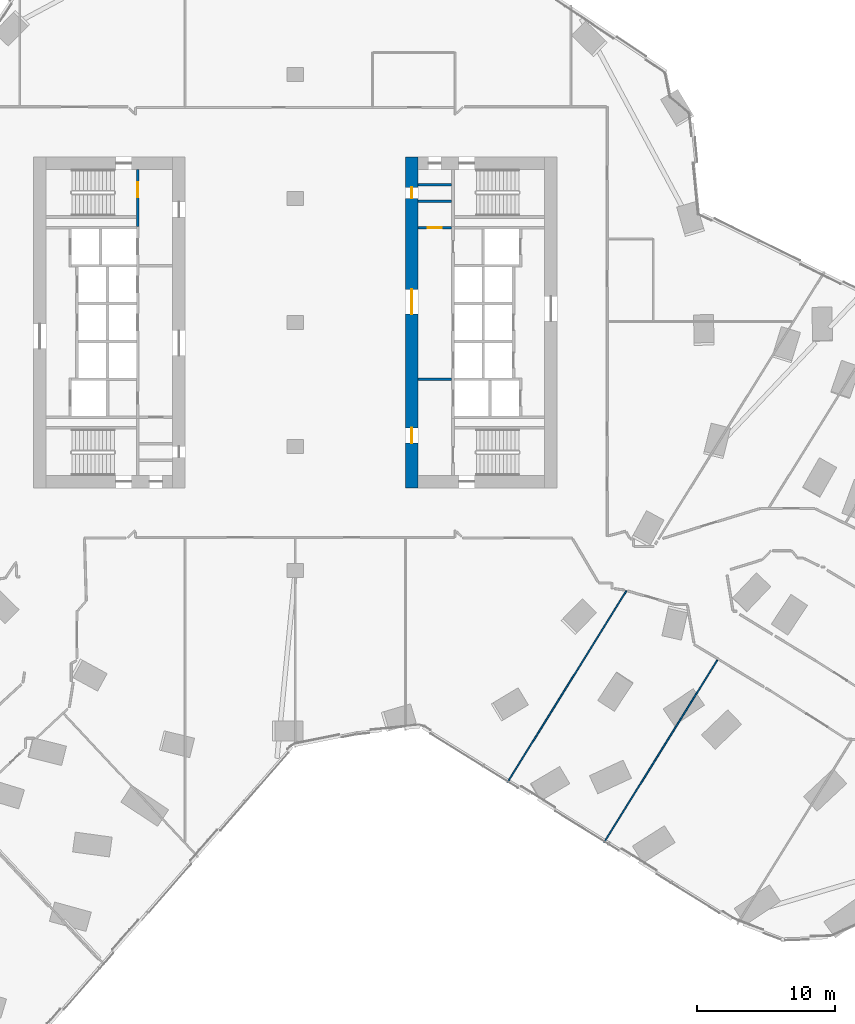
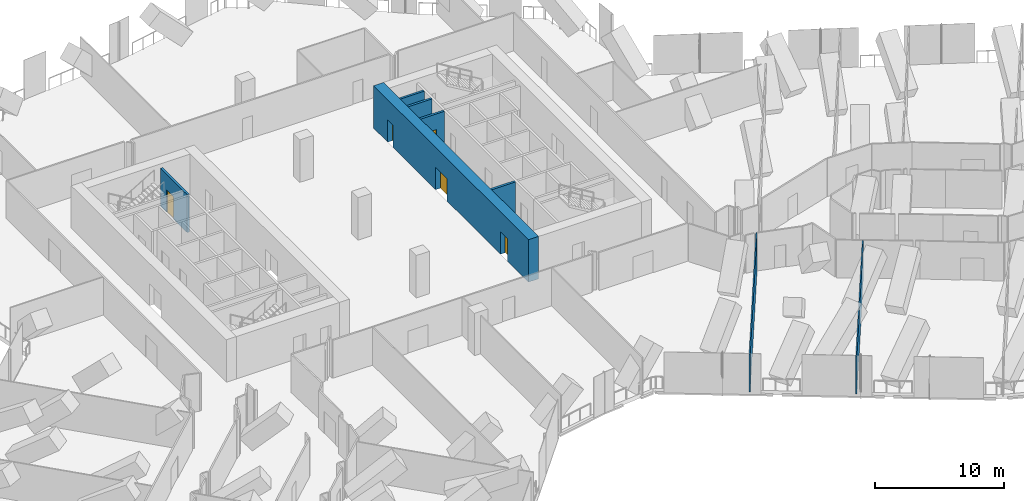
# One storey, part 24 of 31: 8 walls, 5 doors, 5 openings.
"""IFC4 building model written with IfcOpenShell, lengths in metres."""

import ifcopenshell
import ifcopenshell.guid

model = None  # the IFC model being written
_history = None  # IfcOwnerHistory: only IFC2X3 demands one
_inside = {}  # id of a spatial element -> (the spatial element, [elements in it])
_under = {}  # id of a project, library or spatial element -> (it, [spatial elements below it])
_declared = {}  # id of a project -> (the project, [libraries it declares])
_typed = {}  # id of a type object -> (the type object, [elements of that type])
_made_of = {}  # id of a material, layer set ... -> (it, [elements and type objects made of it])


def new_model(schema):
    """Start an empty IFC model of exactly this schema.

    Asked for "IFC4X3", IfcOpenShell would pick the latest addendum, in which some entities
    have other attributes; the version numbers below select the first issue.
    IFC2X3 requires an IfcOwnerHistory on every rooted entity: one is made here for all.
    """
    global model, _history
    if schema == "IFC4X3":
        model = ifcopenshell.file(schema_version=(4, 3, 0, 0))
    else:
        model = ifcopenshell.file(schema=schema)
    _inside.clear()
    _under.clear()
    _declared.clear()
    _typed.clear()
    _made_of.clear()
    _history = None
    if model.schema == "IFC2X3":
        org = make("IfcOrganization", Name="unknown")
        user = make(
            "IfcPersonAndOrganization",
            ThePerson=make("IfcPerson", FamilyName="unknown"),
            TheOrganization=org,
        )
        app = make(
            "IfcApplication",
            ApplicationDeveloper=org,
            Version="unknown",
            ApplicationFullName="unknown",
            ApplicationIdentifier="unknown",
        )
        _history = make(
            "IfcOwnerHistory",
            OwningUser=user,
            OwningApplication=app,
            ChangeAction="ADDED",
            CreationDate=0,
        )
    return model


def make(cls, **values):
    """One entity of the class cls with the attributes given. An attribute that is None is left unset."""
    return model.create_entity(
        cls, **{name: value for name, value in values.items() if value is not None}
    )


def rooted(cls, **values):
    """An entity with a GlobalId (a new one), such as an element, a storey or a relation."""
    return make(cls, GlobalId=ifcopenshell.guid.new(), OwnerHistory=_history, **values)


def si_unit(unit_type, name, prefix=None):
    """IfcSIUnit, for example si_unit("LENGTHUNIT", "METRE", prefix="MILLI")."""
    return make("IfcSIUnit", UnitType=unit_type, Prefix=prefix, Name=name)


def assignment(units):
    """IfcUnitAssignment: the units of a project."""
    return None if units is None else make("IfcUnitAssignment", Units=units)


def point(xyz):
    """IfcCartesianPoint."""
    return None if xyz is None else make("IfcCartesianPoint", Coordinates=xyz)


def direction(xyz):
    """IfcDirection."""
    return None if xyz is None else make("IfcDirection", DirectionRatios=xyz)


def frame(location, z_axis=None, x_axis=None):
    """IfcAxis2Placement3D, a coordinate frame: its origin and axes. An axis left out is left unset."""
    return make(
        "IfcAxis2Placement3D",
        Location=point(location),
        Axis=direction(z_axis),
        RefDirection=direction(x_axis),
    )


def frame_2d(location, x_axis=None):
    """IfcAxis2Placement2D, a coordinate frame in the plane: its origin and x axis."""
    return make(
        "IfcAxis2Placement2D", Location=point(location), RefDirection=direction(x_axis)
    )


def origin():
    """The frame at (0, 0, 0) with its axes left unset."""
    return frame((0.0, 0.0, 0.0))


def place(relative_to, where):
    """IfcLocalPlacement: puts the frame where relative to a parent placement (None: the world)."""
    return make(
        "IfcLocalPlacement", PlacementRelTo=relative_to, RelativePlacement=where
    )


def context(
    kind, dimensions, precision=None, world=None, true_north=None, identifier=None
):
    """IfcGeometricRepresentationContext, for example the 3D "Model" context."""
    return make(
        "IfcGeometricRepresentationContext",
        ContextIdentifier=identifier,
        ContextType=kind,
        CoordinateSpaceDimension=dimensions,
        Precision=precision,
        WorldCoordinateSystem=world,
        TrueNorth=true_north,
    )


def subcontext(parent, identifier, kind, view, scale=None):
    """IfcGeometricRepresentationSubContext, for example "Body" below "Model"."""
    return make(
        "IfcGeometricRepresentationSubContext",
        ContextIdentifier=identifier,
        ContextType=kind,
        ParentContext=parent,
        TargetScale=scale,
        TargetView=view,
    )


def project(units=None, contexts=None):
    """IfcProject with its units and contexts."""
    return rooted(
        "IfcProject",
        Name="project",
        RepresentationContexts=contexts,
        UnitsInContext=assignment(units),
    )


def spatial(cls, under=None, at=None, **own):
    """A site, building, storey or space (cls), placed at a placement, below another one or the project."""
    s = rooted(cls, ObjectPlacement=at, **own)
    if under is not None:
        _under.setdefault(under.id(), (under, []))[1].append(s)
    return s


def profile(cls, at=None, kind="AREA", **sizes):
    """A parametric profile (cls). Its sizes go by their IFC names, for example OverallWidth=200.0."""
    return make(cls, ProfileType=kind, Position=at, **sizes)


def rectangle(**sizes):
    """IfcRectangleProfileDef."""
    return profile("IfcRectangleProfileDef", **sizes)


def extrude(swept, where, along, depth):
    """IfcExtrudedAreaSolid: the profile swept, set in the frame where, extruded along a direction by depth."""
    return make(
        "IfcExtrudedAreaSolid",
        SweptArea=swept,
        Position=where,
        ExtrudedDirection=direction(along),
        Depth=depth,
    )


def shape(context_of_items, identifier, shape_type, items):
    """IfcShapeRepresentation: the items that make up one representation, for example the "Body"."""
    return make(
        "IfcShapeRepresentation",
        ContextOfItems=context_of_items,
        RepresentationIdentifier=identifier,
        RepresentationType=shape_type,
        Items=items,
    )


def material(Name=None, Category=None):
    """IfcMaterial."""
    return make("IfcMaterial", Name=Name, Category=Category)


def layer(
    of_material, thickness, ventilated=None, Name=None, Category=None, Priority=None
):
    """IfcMaterialLayer: one layer of a wall or slab, of a material (None: an air gap)."""
    return make(
        "IfcMaterialLayer",
        Material=of_material,
        LayerThickness=thickness,
        IsVentilated=ventilated,
        Name=Name,
        Category=Category,
        Priority=Priority,
    )


def layer_set(layers, Name=None):
    """IfcMaterialLayerSet."""
    return make("IfcMaterialLayerSet", MaterialLayers=layers, LayerSetName=Name)


def made_of(thing, what):
    """Note that an element or type object is made of a material, layer set ...; save() writes the relation."""
    if what is not None:
        _made_of.setdefault(what.id(), (what, []))[1].append(thing)
    return thing


def type_object(cls, material=None, **own):
    """A type object (cls), such as IfcWallType, which elements share."""
    return made_of(rooted(cls, **own), material)


def element(
    cls,
    number,
    at=None,
    inside=None,
    cuts=None,
    type_object=None,
    material=None,
    context=None,
    identifier="Body",
    shape_type=None,
    held_by="IfcProductDefinitionShape",
    body=None,
    shapes=None,
    **own,
):
    """One element of the class cls, such as IfcWall. Its Tag is "e" and its number.

    at: its placement. inside: the storey or other place that contains it. cuts: it is an
    opening in that element (IfcRelVoidsElement). A single representation is given by context,
    identifier, shape_type and body (its items); several are given by shapes. held_by: the class
    of the entity that holds the representations. save() writes the other relations.
    """
    e = rooted(cls, Tag="e%d" % number, ObjectPlacement=at, **own)
    if body is not None:
        shapes = [shape(context, identifier, shape_type, body)]
    if shapes is not None:
        e.Representation = make(held_by, Representations=shapes)
    if inside is not None:
        _inside.setdefault(inside.id(), (inside, []))[1].append(e)
    if cuts is not None:
        rooted(
            "IfcRelVoidsElement", RelatingBuildingElement=cuts, RelatedOpeningElement=e
        )
    if type_object is not None:
        _typed.setdefault(type_object.id(), (type_object, []))[1].append(e)
    return made_of(e, material)


def fill(opening, filler):
    """IfcRelFillsElement: the door or window that sits in an opening."""
    return rooted(
        "IfcRelFillsElement",
        RelatingOpeningElement=opening,
        RelatedBuildingElement=filler,
    )


def aggregate(whole, parts):
    """IfcRelAggregates: a whole, such as a stair, and the parts it consists of."""
    return rooted("IfcRelAggregates", RelatingObject=whole, RelatedObjects=parts)


def save(model, path):
    """Write the relations noted so far, then the file.

    IfcRelAggregates (storeys below a building ...), IfcRelContainedInSpatialStructure (elements
    in a storey), IfcRelDefinesByType, IfcRelAssociatesMaterial and IfcRelDeclares: one each for
    every whole, place, type object, material and project.
    """
    for whole, parts in _under.values():
        aggregate(whole, parts)
    for where, things in _inside.values():
        rooted(
            "IfcRelContainedInSpatialStructure",
            RelatedElements=things,
            RelatingStructure=where,
        )
    for kind, things in _typed.values():
        rooted("IfcRelDefinesByType", RelatedObjects=things, RelatingType=kind)
    for what, things in _made_of.values():
        rooted("IfcRelAssociatesMaterial", RelatedObjects=things, RelatingMaterial=what)
    for by, libraries in _declared.values():
        rooted("IfcRelDeclares", RelatingContext=by, RelatedDefinitions=libraries)
    model.write(path)


model = new_model("IFC4")

# Units and contexts
model_context = context("Model", 3, precision=1e-05, world=origin(), true_north=direction((0.0, 1.0)))
body_context = subcontext(model_context, "Body", "Model", "MODEL_VIEW")
ifc_project = project(units=[si_unit("LENGTHUNIT", "METRE"), si_unit("AREAUNIT", "SQUARE_METRE"), si_unit("VOLUMEUNIT", "CUBIC_METRE"), si_unit("PLANEANGLEUNIT", "RADIAN"), si_unit("MASSUNIT", "GRAM", prefix="KILO")], contexts=[model_context])

# Site, building, storey
site_placement = place(None, origin())
site = spatial("IfcSite", under=ifc_project, at=site_placement, CompositionType="ELEMENT")
building_placement = place(site_placement, origin())
building = spatial("IfcBuilding", under=site, at=building_placement, Name="Orlundy Tower", CompositionType="ELEMENT")
storey_placement = place(building_placement, frame((0.0, 0.0, 54.800048828125)))
storey = spatial("IfcBuildingStorey", under=building, at=storey_placement, Name="L12", CompositionType="ELEMENT", Elevation=54.800048828125)

# Wall, openings, doors
ifc_material_1 = material(Name="Concrete C80/95", Category="concrete")
ifc_layer_1 = layer(ifc_material_1, 0.89990234375)
ifc_layer_set_1 = layer_set([ifc_layer_1], Name="CORE WALL 900 C80/95")
wall_type_1 = type_object("IfcWallType", Name="CORE WALL 900 C80/95", PredefinedType="SHEAR", material=ifc_layer_set_1)
wall_1_placement = place(storey_placement, frame((8.449951171875, -12.0, 0.0), z_axis=(0.0, 0.0, 1.0), x_axis=(0.0, 1.0, 0.0)))
wall_1 = element("IfcWall", 1, at=wall_1_placement, inside=storey, type_object=wall_type_1, Name="Core wall E-W L12", PredefinedType="SHEAR", context=body_context, shape_type="SweptSolid", body=[
    extrude(rectangle(XDim=24.0, YDim=0.89990234375, at=frame_2d((12.0, 0.0))), origin(), (0.0, 0.0, 1.0), 4.0),
])
opening_1_placement = place(wall_1_placement, frame((12.60009765625, 0.0, 0.0)))
opening_1 = element("IfcOpeningElement", 2, at=opening_1_placement, cuts=wall_1, Name="Opening 11058", PredefinedType="OPENING", context=body_context, shape_type="SweptSolid", body=[
    extrude(rectangle(XDim=1.800048828125, YDim=2.10009765625, at=frame_2d((0.89990234375, 1.050048828125))), frame((0.0, 0.4599609375, 0.0), z_axis=(0.0, -1.0, 0.0), x_axis=(1.0, 0.0, 0.0)), (0.0, 0.0, 1.0), 0.919921875),
])
opening_2_placement = place(wall_1_placement, frame((3.25, 0.0, 0.0)))
opening_2 = element("IfcOpeningElement", 3, at=opening_2_placement, cuts=wall_1, Name="Opening 11060", PredefinedType="OPENING", context=body_context, shape_type="SweptSolid", body=[
    extrude(rectangle(XDim=1.10009765625, YDim=2.10009765625, at=frame_2d((0.550048828125, 1.050048828125))), frame((0.0, 0.4599609375, 0.0), z_axis=(0.0, -1.0, 0.0), x_axis=(1.0, 0.0, 0.0)), (0.0, 0.0, 1.0), 0.919921875),
])
opening_3_placement = place(wall_1_placement, frame((21.0, 0.0, 0.0)))
opening_3 = element("IfcOpeningElement", 4, at=opening_3_placement, cuts=wall_1, Name="Opening 11065", PredefinedType="OPENING", context=body_context, shape_type="SweptSolid", body=[
    extrude(rectangle(XDim=0.800048828125, YDim=2.10009765625, at=frame_2d((0.39990234375, 1.050048828125))), frame((0.0, 0.4599609375, 0.0), z_axis=(0.0, -1.0, 0.0), x_axis=(1.0, 0.0, 0.0)), (0.0, 0.0, 1.0), 0.919921875),
])
ifc_material_2 = material(Name="Steel door set", Category="steel")
door_type_1 = type_object("IfcDoorType", Name="Fire-fighting Lobby Door 1100x2100", OperationType="SINGLE_SWING_LEFT", PredefinedType="DOOR", material=ifc_material_2)
door_1_placement = place(opening_2_placement, origin())
door_1 = element("IfcDoor", 5, at=door_1_placement, inside=storey, type_object=door_type_1, Name="Fire-fighting lobby door 11060", OperationType="SINGLE_SWING_LEFT", OverallHeight=2.10009765625, OverallWidth=1.10009765625, PredefinedType="DOOR", context=body_context, shape_type="SweptSolid", body=[
    extrude(rectangle(XDim=1.10009765625, YDim=2.10009765625, at=frame_2d((0.550048828125, 1.050048828125))), frame((0.0, 0.02490234375, 0.0), z_axis=(0.0, -1.0, 0.0), x_axis=(1.0, 0.0, 0.0)), (0.0, 0.0, 1.0), 0.050048828125),
])
fill(opening_2, door_1)
ifc_material_3 = material(Name="Timber door set", Category="wood")
door_type_2 = type_object("IfcDoorType", Name="Lobby Door 1800x2100", OperationType="DOUBLE_DOOR_DOUBLE_SWING", PredefinedType="DOOR", material=ifc_material_3)
door_2_placement = place(opening_1_placement, origin())
door_2 = element("IfcDoor", 6, at=door_2_placement, inside=storey, type_object=door_type_2, Name="Lift lobby door 11058", OperationType="SINGLE_SWING_RIGHT", OverallHeight=2.10009765625, OverallWidth=1.800048828125, PredefinedType="DOOR", context=body_context, shape_type="SweptSolid", body=[
    extrude(rectangle(XDim=1.800048828125, YDim=2.10009765625, at=frame_2d((0.89990234375, 1.050048828125))), frame((0.0, 0.02490234375, 0.0), z_axis=(0.0, -1.0, 0.0), x_axis=(1.0, 0.0, 0.0)), (0.0, 0.0, 1.0), 0.050048828125),
])
fill(opening_1, door_2)
ifc_material_4 = material(Name="Timber door set", Category="wood")
door_type_3 = type_object("IfcDoorType", Name="Riser Door 800x2100", OperationType="SINGLE_SWING_LEFT", PredefinedType="DOOR", material=ifc_material_4)
door_3_placement = place(opening_3_placement, origin())
door_3 = element("IfcDoor", 7, at=door_3_placement, inside=storey, type_object=door_type_3, Name="Door 11065", OperationType="SINGLE_SWING_RIGHT", OverallHeight=2.10009765625, OverallWidth=0.800048828125, PredefinedType="DOOR", context=body_context, shape_type="SweptSolid", body=[
    extrude(rectangle(XDim=0.800048828125, YDim=2.10009765625, at=frame_2d((0.39990234375, 1.050048828125))), frame((0.0, 0.02490234375, 0.0), z_axis=(0.0, -1.0, 0.0), x_axis=(1.0, 0.0, 0.0)), (0.0, 0.0, 1.0), 0.050048828125),
])
fill(opening_3, door_3)

# Walls
ifc_material_5 = material(Name="Gypsum board partition")
ifc_layer_2 = layer(ifc_material_5, 0.10009765625)
ifc_layer_set_2 = layer_set([ifc_layer_2], Name="Floor partition 100")
wall_type_2 = type_object("IfcWallType", Name="Floor partition 100", PredefinedType="PARTITIONING", material=ifc_layer_set_2)
wall_2_placement = place(storey_placement, frame((22.410888671875, -37.748046875, 0.0), z_axis=(0.0, 0.0, 1.0), x_axis=(0.527469619433, 0.849573893535, 0.0)))
element("IfcWall", 8, at=wall_2_placement, inside=storey, type_object=wall_type_2, Name="wall-int-L12-127", PredefinedType="PARTITIONING", context=body_context, shape_type="SweptSolid", body=[
    extrude(rectangle(XDim=15.59716796875, YDim=0.10009765625, at=frame_2d((7.798583984375, 0.0))), origin(), (0.0, 0.0, 1.0), 3.579833984375),
])
wall_3_placement = place(storey_placement, frame((15.39501953125, -33.39306640625, 0.0), z_axis=(0.0, 0.0, 1.0), x_axis=(0.52750522029, 0.84955178922, 0.0)))
element("IfcWall", 9, at=wall_3_placement, inside=storey, type_object=wall_type_2, Name="wall-int-L12-129", PredefinedType="PARTITIONING", context=body_context, shape_type="SweptSolid", body=[
    extrude(rectangle(XDim=16.39208984375, YDim=0.10009765625, at=frame_2d((8.196044921875, 0.0))), origin(), (0.0, 0.0, 1.0), 3.579833984375),
])

# Wall, opening, door
ifc_material_6 = material(Name="Concrete C40/50", Category="concrete")
ifc_layer_3 = layer(ifc_material_6, 0.199951171875)
ifc_layer_set_3 = layer_set([ifc_layer_3], Name="Load-bearing Shaft Wall 200")
wall_type_3 = type_object("IfcWallType", Name="Load-bearing Shaft Wall 200", PredefinedType="SOLIDWALL", material=ifc_layer_set_3)
wall_4_placement = place(storey_placement, frame((-11.43994140625, 6.97509765625, 0.0), z_axis=(0.0, 0.0, 1.0), x_axis=(0.0, 1.0, 0.0)))
wall_4 = element("IfcWall", 10, at=wall_4_placement, inside=storey, type_object=wall_type_3, Name="Shaft wall W11-stair-end-n", PredefinedType="SOLIDWALL", context=body_context, shape_type="SweptSolid", body=[
    extrude(rectangle(XDim=4.125, YDim=0.199951171875, at=frame_2d((2.0625, 0.0))), origin(), (0.0, 0.0, 1.0), 3.58984375),
])
opening_4_placement = place(wall_4_placement, frame((2.10009765625, 0.0, 0.0)))
opening_4 = element("IfcOpeningElement", 11, at=opening_4_placement, cuts=wall_4, Name="Opening 11014", PredefinedType="OPENING", context=body_context, shape_type="SweptSolid", body=[
    extrude(rectangle(XDim=1.10009765625, YDim=2.10009765625, at=frame_2d((0.550048828125, 1.050048828125))), frame((0.0, 0.110107421875, 0.0), z_axis=(0.0, -1.0, 0.0), x_axis=(1.0, 0.0, 0.0)), (0.0, 0.0, 1.0), 0.22021484375),
])
door_4_placement = place(opening_4_placement, origin())
door_4 = element("IfcDoor", 12, at=door_4_placement, inside=storey, type_object=door_type_1, Name="Fire-fighting lobby to stair door 11014", OperationType="SINGLE_SWING_RIGHT", OverallHeight=2.10009765625, OverallWidth=1.10009765625, PredefinedType="DOOR", context=body_context, shape_type="SweptSolid", body=[
    extrude(rectangle(XDim=1.10009765625, YDim=2.10009765625, at=frame_2d((0.550048828125, 1.050048828125))), frame((0.0, 0.02490234375, 0.0), z_axis=(0.0, -1.0, 0.0), x_axis=(1.0, 0.0, 0.0)), (0.0, 0.0, 1.0), 0.050048828125),
])
fill(opening_4, door_4)

# Wall
ifc_material_7 = material(Name="Gypsum board partition on steel studs", Category="steel")
ifc_layer_4 = layer(ifc_material_7, 0.199951171875)
ifc_layer_set_4 = layer_set([ifc_layer_4], Name="Partition 200")
wall_type_4 = type_object("IfcWallType", Name="Partition 200", PredefinedType="PARTITIONING", material=ifc_layer_set_4)
wall_5_placement = place(storey_placement, frame((8.89990234375, -4.125, 0.0), z_axis=(0.0, 0.0, 1.0), x_axis=(1.0, 0.0, 0.0)))
element("IfcWall", 13, at=wall_5_placement, inside=storey, type_object=wall_type_4, Name="Partition wall E11-lobby-n", PredefinedType="PARTITIONING", context=body_context, shape_type="SweptSolid", body=[
    extrude(rectangle(XDim=2.440185546875, YDim=0.199951171875, at=frame_2d((1.22021484375, 0.0))), origin(), (0.0, 0.0, 1.0), 3.58984375),
])

# Wall, opening, door
wall_6_placement = place(storey_placement, frame((8.89990234375, 6.875, 0.0), z_axis=(0.0, 0.0, 1.0), x_axis=(1.0, 0.0, 0.0)))
wall_6 = element("IfcWall", 14, at=wall_6_placement, inside=storey, type_object=wall_type_4, Name="Partition wall E11-end-s", PredefinedType="PARTITIONING", context=body_context, shape_type="SweptSolid", body=[
    extrude(rectangle(XDim=2.440185546875, YDim=0.199951171875, at=frame_2d((1.22021484375, 0.0))), origin(), (0.0, 0.0, 1.0), 3.58984375),
])
opening_5_placement = place(wall_6_placement, frame((0.719970703125, 0.0, 0.0)))
opening_5 = element("IfcOpeningElement", 15, at=opening_5_placement, cuts=wall_6, Name="Opening 11066", PredefinedType="OPENING", context=body_context, shape_type="SweptSolid", body=[
    extrude(rectangle(XDim=1.0, YDim=2.10009765625, at=frame_2d((0.5, 1.050048828125))), frame((0.0, 0.110107421875, 0.0), z_axis=(0.0, -1.0, 0.0), x_axis=(1.0, 0.0, 0.0)), (0.0, 0.0, 1.0), 0.22021484375),
])
ifc_material_8 = material(Name="Timber door set", Category="wood")
door_type_4 = type_object("IfcDoorType", Name="Accessible Door 1000x2100", OperationType="SINGLE_SWING_LEFT", PredefinedType="DOOR", material=ifc_material_8)
door_5_placement = place(opening_5_placement, origin())
door_5 = element("IfcDoor", 16, at=door_5_placement, inside=storey, type_object=door_type_4, Name="Accessible WC door 11066", OperationType="SINGLE_SWING_RIGHT", OverallHeight=2.10009765625, OverallWidth=1.0, PredefinedType="DOOR", context=body_context, shape_type="SweptSolid", body=[
    extrude(rectangle(XDim=1.0, YDim=2.10009765625, at=frame_2d((0.5, 1.050048828125))), frame((0.0, 0.02490234375, 0.0), z_axis=(0.0, -1.0, 0.0), x_axis=(1.0, 0.0, 0.0)), (0.0, 0.0, 1.0), 0.050048828125),
])
fill(opening_5, door_5)

# Walls
for number, where, z_axis, x_axis, name in (
    (17, (8.89990234375, 10.0, 0.0), (0.0, 0.0, 1.0), (1.0, 0.0, 0.0), "Partition wall E11-room-s0"),
    (18, (8.89990234375, 8.800048828125, 0.0), (0.0, 0.0, 1.0), (1.0, 0.0, 0.0), "Partition wall E11-room-s1"),
):
    element("IfcWall", number, at=place(storey_placement, frame(where, z_axis=z_axis, x_axis=x_axis)), inside=storey, type_object=wall_type_4, Name=name, PredefinedType="PARTITIONING", context=body_context, shape_type="SweptSolid", body=[
        extrude(rectangle(XDim=2.440185546875, YDim=0.199951171875, at=frame_2d((1.22021484375, 0.0))), origin(), (0.0, 0.0, 1.0), 3.58984375),
    ])

save(model, "model.ifc")
